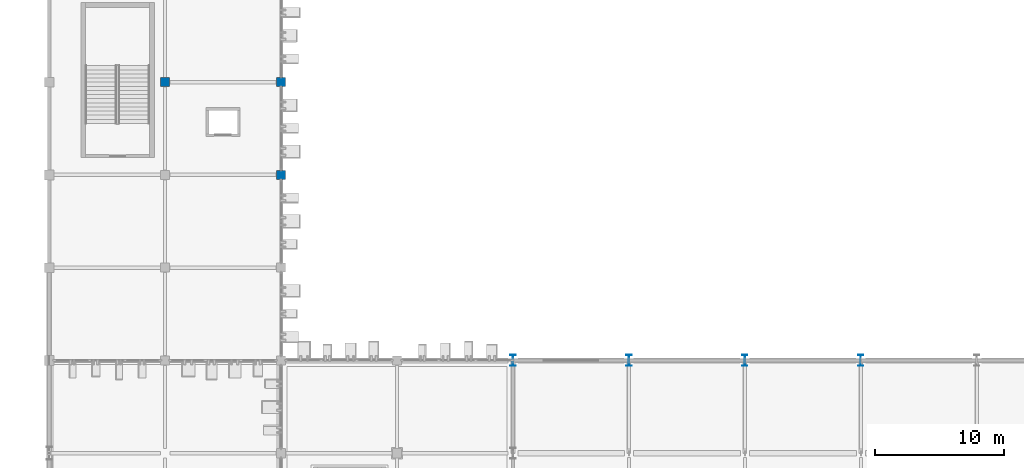
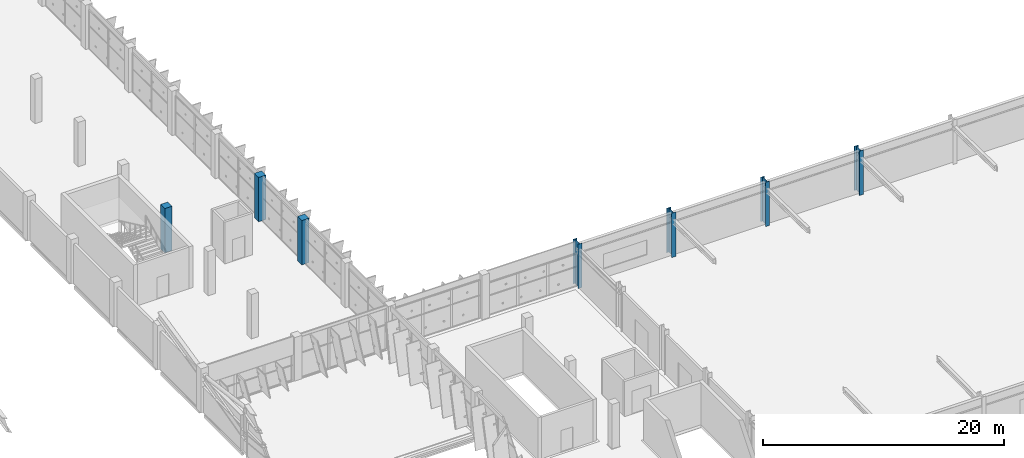
# One storey, part 6 of 151: 7 columns.
"""IFC4 building model written with IfcOpenShell, lengths in metres."""

from ifc_helpers import new_model, si_unit, direction, frame, origin, origin_2d, place, context, subcontext, project, spatial, rectangle, i_section, extrude, material, material_profile, profile_set, type_object, element, save


model = new_model("IFC4")

# Units and contexts
model_context = context("Model", 3, precision=1e-05, world=origin(), true_north=direction((0.0, 1.0)))
body_context = subcontext(model_context, "Body", "Model", "MODEL_VIEW")
ifc_project = project(units=[si_unit("LENGTHUNIT", "METRE"), si_unit("AREAUNIT", "SQUARE_METRE"), si_unit("VOLUMEUNIT", "CUBIC_METRE"), si_unit("PLANEANGLEUNIT", "RADIAN"), si_unit("MASSUNIT", "GRAM", prefix="KILO")], contexts=[model_context])

# Site, building, storey
site_placement = place(None, origin())
site = spatial("IfcSite", under=ifc_project, at=site_placement, CompositionType="ELEMENT")
building_placement = place(site_placement, origin())
building = spatial("IfcBuilding", under=site, at=building_placement, Name="Celestram Park Convention Centre", CompositionType="ELEMENT")
storey_placement = place(building_placement, frame((0.0, 0.0, 10.800048828125)))
storey = spatial("IfcBuildingStorey", under=building, at=storey_placement, Name="L02", CompositionType="ELEMENT", Elevation=10.800048828125)

# Columns
ifc_material_1 = material(Name="Concrete C40/50", Category="concrete")
ifc_material_profile_1 = material_profile(ifc_material_1, rectangle(XDim=0.699951171875, YDim=0.699951171875, at=origin_2d()), Name="RC700X700")
ifc_profile_set_1 = profile_set([ifc_material_profile_1], Name="Concrete C40/50")
column_type_1 = type_object("IfcColumnType", Name="STR-COL-RC700", PredefinedType="COLUMN", material=ifc_profile_set_1)
for number, where, z_axis, x_axis, name in (
    (1, (135.0, 57.60009765625, 0.0), (0.0, 0.0, 1.0), (1.0, 0.0, 0.0), "Column CN-L02-141"),
    (2, (144.0, 50.39990234375, 0.0), (0.0, 0.0, 1.0), (1.0, 0.0, 0.0), "Column CN-L02-164"),
    (3, (144.0, 57.60009765625, 0.0), (0.0, 0.0, 1.0), (1.0, 0.0, 0.0), "Column CN-L02-165"),
):
    element("IfcColumn", number, at=place(storey_placement, frame(where, z_axis=z_axis, x_axis=x_axis)), inside=storey, type_object=column_type_1, Name=name, PredefinedType="COLUMN", context=body_context, shape_type="SweptSolid", body=[
        extrude(rectangle(XDim=0.699951171875, YDim=0.699951171875, at=origin_2d()), origin(), (0.0, 0.0, 1.0), 4.5),
    ])
ifc_material_2 = material(Name="Steel ASTM A992 Grade 50", Category="steel")
ifc_material_profile_2 = material_profile(ifc_material_2, i_section(OverallWidth=0.40087890625, OverallDepth=0.85595703125, WebThickness=0.018310546875, FlangeThickness=0.029296875, at=origin_2d()), Name="W33X201")
ifc_profile_set_2 = profile_set([ifc_material_profile_2], Name="Steel ASTM A992 Grade 50")
column_type_2 = type_object("IfcColumnType", Name="STR-COL-W33X201", PredefinedType="COLUMN", material=ifc_profile_set_2)
for number, where, z_axis, x_axis, name in (
    (4, (162.0, 36.0, 0.0), (0.0, 0.0, 1.0), (1.0, 0.0, 0.0), "Column CN-L02-200"),
    (5, (171.0, 36.0, 0.0), (0.0, 0.0, 1.0), (1.0, 0.0, 0.0), "Column CN-L02-204"),
    (6, (180.0, 36.0, 0.0), (0.0, 0.0, 1.0), (1.0, 0.0, 0.0), "Column CN-L02-208"),
    (7, (189.0, 36.0, 0.0), (0.0, 0.0, 1.0), (1.0, 0.0, 0.0), "Column CN-L02-212"),
):
    element("IfcColumn", number, at=place(storey_placement, frame(where, z_axis=z_axis, x_axis=x_axis)), inside=storey, type_object=column_type_2, Name=name, PredefinedType="COLUMN", context=body_context, shape_type="SweptSolid", body=[
        extrude(i_section(OverallWidth=0.40087890625, OverallDepth=0.85595703125, WebThickness=0.018310546875, FlangeThickness=0.029296875, at=origin_2d()), origin(), (0.0, 0.0, 1.0), 4.5),
    ])

save(model, "model.ifc")
